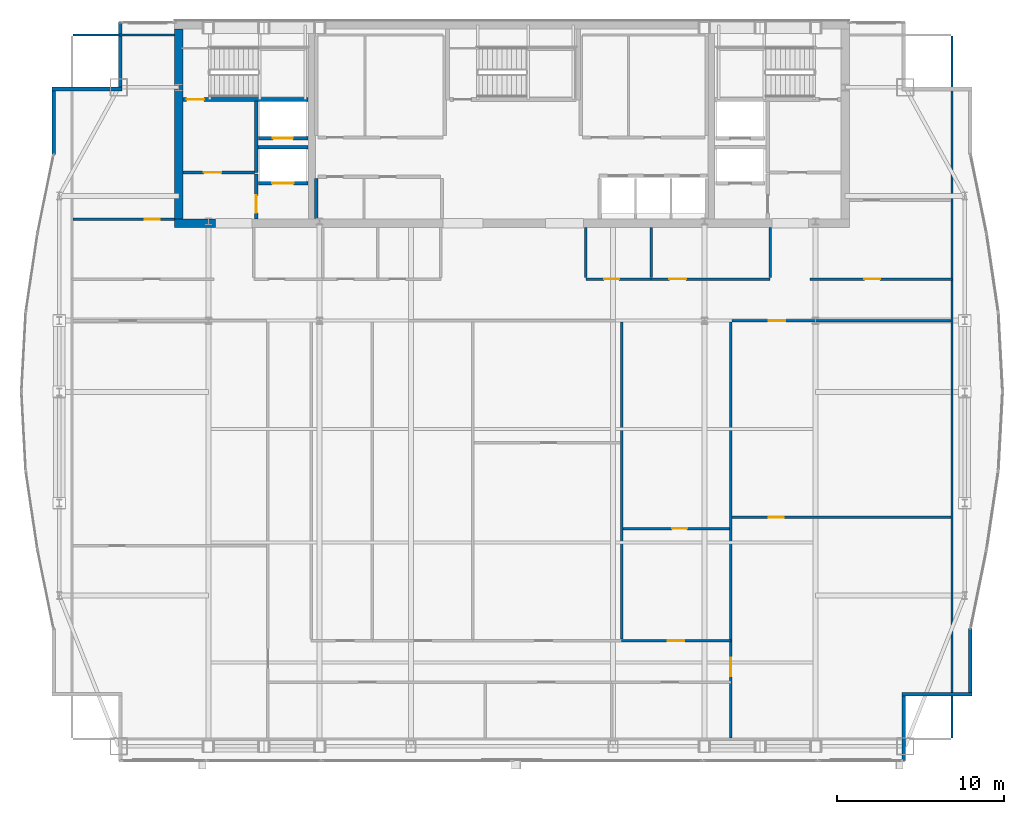
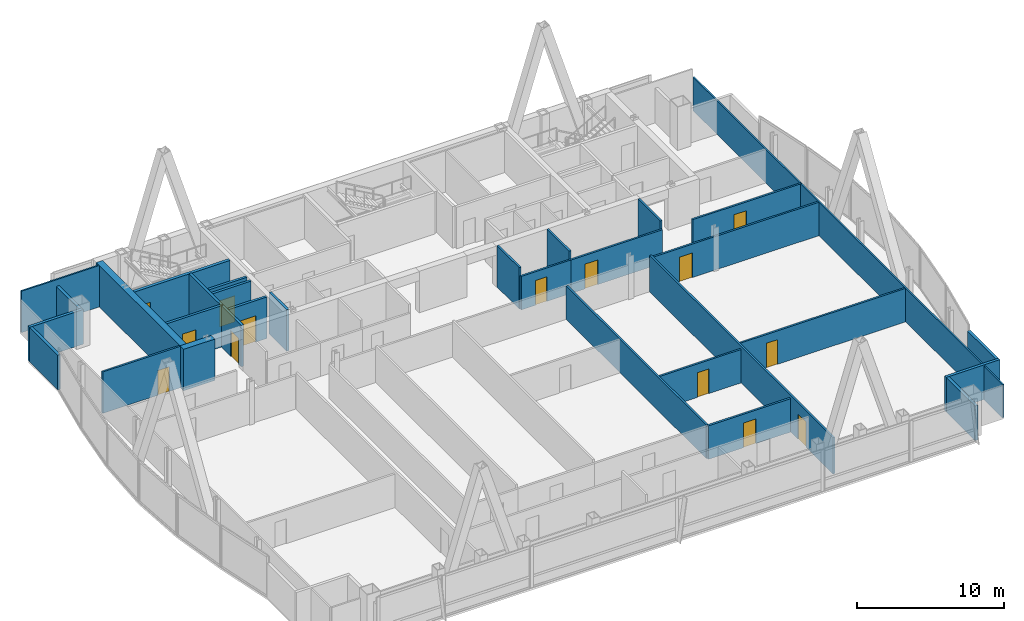
# One storey, part 27 of 31: 31 walls, 14 doors, 14 openings.
"""IFC4 building model written with IfcOpenShell, lengths in metres."""

from ifc_helpers import new_model, si_unit, direction, frame, frame_2d, origin, place, context, subcontext, project, spatial, rectangle, extrude, material, layer, layer_set, type_object, element, fill, save


model = new_model("IFC4")

# Units and contexts
model_context = context("Model", 3, precision=1e-05, world=origin(), true_north=direction((0.0, 1.0)))
body_context = subcontext(model_context, "Body", "Model", "MODEL_VIEW")
ifc_project = project(units=[si_unit("LENGTHUNIT", "METRE"), si_unit("AREAUNIT", "SQUARE_METRE"), si_unit("VOLUMEUNIT", "CUBIC_METRE"), si_unit("PLANEANGLEUNIT", "RADIAN"), si_unit("MASSUNIT", "GRAM", prefix="KILO")], contexts=[model_context])

# Site, building, storey
site_placement = place(None, origin())
site = spatial("IfcSite", under=ifc_project, at=site_placement, CompositionType="ELEMENT")
building_placement = place(site_placement, origin())
building = spatial("IfcBuilding", under=site, at=building_placement, Name="Khoronbel Lancet Exchange", CompositionType="ELEMENT")
storey_placement = place(building_placement, frame((0.0, 0.0, 273.39990234375)))
storey = spatial("IfcBuildingStorey", under=building, at=storey_placement, Name="L70", CompositionType="ELEMENT", Elevation=273.39990234375)

# Walls
ifc_material_1 = material(Name="Concrete C60/75", Category="concrete")
ifc_layer_1 = layer(ifc_material_1, 0.5, Name="Concrete C60/75")
ifc_layer_set_1 = layer_set([ifc_layer_1], Name="Concrete C60/75")
wall_type_1 = type_object("IfcWallType", Name="WL-CW4", PredefinedType="SHEAR", material=ifc_layer_set_1)
wall_1_placement = place(storey_placement, frame((16.449951171875, 41.800048828125, 0.0), z_axis=(0.0, 0.0, 1.0), x_axis=(0.0, 1.0, 0.0)))
element("IfcWall", 1, at=wall_1_placement, inside=storey, type_object=wall_type_1, Name="Level L70 rear core west shear wall", PredefinedType="SHEAR", context=body_context, shape_type="SweptSolid", body=[
    extrude(rectangle(XDim=11.39990234375, YDim=0.5, at=frame_2d((5.699951171875, 0.0))), origin(), (0.0, 0.0, 1.0), 3.440185546875),
])
wall_2_placement = place(storey_placement, frame((18.64990234375, 41.550048828125, 0.0), z_axis=(0.0, 0.0, 1.0), x_axis=(-1.0, 0.0, 0.0)))
element("IfcWall", 2, at=wall_2_placement, inside=storey, type_object=wall_type_1, Name="Level L70 rear core south shear wall pier P1", PredefinedType="SHEAR", context=body_context, shape_type="SweptSolid", body=[
    extrude(rectangle(XDim=2.449951171875, YDim=0.5, at=frame_2d((1.22509765625, 0.0))), origin(), (0.0, 0.0, 1.0), 3.440185546875),
])
ifc_material_2 = material(Name="Precast concrete C40/50", Category="concrete")
ifc_layer_2 = layer(ifc_material_2, 0.25, Name="Precast concrete C40/50")
ifc_layer_set_2 = layer_set([ifc_layer_2], Name="Precast concrete C40/50")
wall_type_2 = type_object("IfcWallType", Name="WL-EXT250", PredefinedType="SOLIDWALL", material=ifc_layer_set_2)
wall_3_placement = place(storey_placement, frame((8.93994140625, 45.6708984375, 0.0), z_axis=(0.0, 0.0, 1.0), x_axis=(0.0, 1.0, 0.0)))
element("IfcWall", 3, at=wall_3_placement, inside=storey, type_object=wall_type_2, Name="Level L70 notched-corner limestone pier 10", PredefinedType="SOLIDWALL", context=body_context, shape_type="SweptSolid", body=[
    extrude(rectangle(XDim=3.8291015625, YDim=0.219970703125, at=frame_2d((1.91455078125, 0.0))), origin(), (0.0, 0.0, 1.0), 2.880126953125),
])
wall_4_placement = place(storey_placement, frame((8.830078125, 49.610107421875, 0.0), z_axis=(0.0, 0.0, 1.0), x_axis=(1.0, 0.0, 0.0)))
element("IfcWall", 4, at=wall_4_placement, inside=storey, type_object=wall_type_2, Name="Level L70 notched-corner limestone pier 11", PredefinedType="SOLIDWALL", context=body_context, shape_type="SweptSolid", body=[
    extrude(rectangle(XDim=4.219970703125, YDim=0.219970703125, at=frame_2d((2.10986328125, 0.0))), origin(), (0.0, 0.0, 1.0), 2.880126953125),
])
wall_5_placement = place(storey_placement, frame((12.93994140625, 49.719970703125, 0.0), z_axis=(0.0, 0.0, 1.0), x_axis=(0.0, 1.0, 0.0)))
element("IfcWall", 5, at=wall_5_placement, inside=storey, type_object=wall_type_2, Name="Level L70 notched-corner limestone pier 12", PredefinedType="SOLIDWALL", context=body_context, shape_type="SweptSolid", body=[
    extrude(rectangle(XDim=3.909912109375, YDim=0.219970703125, at=frame_2d((1.955078125, 0.0))), origin(), (0.0, 0.0, 1.0), 2.880126953125),
])
wall_6_placement = place(storey_placement, frame((63.9599609375, 17.22900390625, 0.0), z_axis=(0.0, 0.0, 1.0), x_axis=(0.0, -1.0, 0.0)))
element("IfcWall", 6, at=wall_6_placement, inside=storey, type_object=wall_type_2, Name="Level L70 notched-corner limestone pier 23", PredefinedType="SOLIDWALL", context=body_context, shape_type="SweptSolid", body=[
    extrude(rectangle(XDim=3.8291015625, YDim=0.219970703125, at=frame_2d((1.91455078125, 0.0))), origin(), (0.0, 0.0, 1.0), 2.880126953125),
])
wall_7_placement = place(storey_placement, frame((64.070068359375, 13.2900390625, 0.0), z_axis=(0.0, 0.0, 1.0), x_axis=(-1.0, 0.0, 0.0)))
element("IfcWall", 7, at=wall_7_placement, inside=storey, type_object=wall_type_2, Name="Level L70 notched-corner limestone pier 24", PredefinedType="SOLIDWALL", context=body_context, shape_type="SweptSolid", body=[
    extrude(rectangle(XDim=4.219970703125, YDim=0.219970703125, at=frame_2d((2.10986328125, 0.0))), origin(), (0.0, 0.0, 1.0), 2.880126953125),
])
wall_8_placement = place(storey_placement, frame((59.9599609375, 13.179931640625, 0.0), z_axis=(0.0, 0.0, 1.0), x_axis=(0.0, -1.0, 0.0)))
element("IfcWall", 8, at=wall_8_placement, inside=storey, type_object=wall_type_2, Name="Level L70 notched-corner limestone pier 25", PredefinedType="SOLIDWALL", context=body_context, shape_type="SweptSolid", body=[
    extrude(rectangle(XDim=3.909912109375, YDim=0.219970703125, at=frame_2d((1.955078125, 0.0))), origin(), (0.0, 0.0, 1.0), 2.880126953125),
])
ifc_material_3 = material(Name="Acoustic Metal-Stud & Mineral-Wool Gypsum Partition 120 mm", Category="gypsum")
ifc_layer_3 = layer(ifc_material_3, 0.1201171875, Name="Acoustic Metal-Stud & Mineral-Wool Gypsum Partition 120 mm")
ifc_layer_set_3 = layer_set([ifc_layer_3], Name="Acoustic Metal-Stud & Mineral-Wool Gypsum Partition 120 mm")
wall_type_3 = type_object("IfcWallType", Name="WL-PRT120", PredefinedType="PARTITIONING", material=ifc_layer_set_3)
for number, where, z_axis, x_axis, name in (
    (9, (40.8798828125, 38.280029296875, 0.0), (0.0, 0.0, 1.0), (0.0, 1.0, 0.0), "Level L70 interior partition PW-NP-0"),
    (10, (44.800048828125, 38.280029296875, 0.0), (0.0, 0.0, 1.0), (0.0, 1.0, 0.0), "Level L70 interior partition PW-NP-M"),
    (11, (51.949951171875, 38.280029296875, 0.0), (0.0, 0.0, 1.0), (0.0, 1.0, 0.0), "Level L70 interior partition PW-NP-1"),
):
    element("IfcWall", number, at=place(storey_placement, frame(where, z_axis=z_axis, x_axis=x_axis)), inside=storey, type_object=wall_type_3, Name=name, PredefinedType="PARTITIONING", context=body_context, shape_type="SweptSolid", body=[
        extrude(rectangle(XDim=3.02001953125, YDim=0.14990234375, at=frame_2d((1.510009765625, 0.0))), origin(), (0.0, 0.0, 1.0), 3.440185546875),
    ])

# Wall, opening, door
wall_9_placement = place(storey_placement, frame((10.094970703125, 41.800048828125, 0.0), z_axis=(0.0, 0.0, 1.0), x_axis=(1.0, 0.0, 0.0)))
wall_9 = element("IfcWall", 12, at=wall_9_placement, inside=storey, type_object=wall_type_3, Name="Level L70 interior partition PW-NW-H", PredefinedType="PARTITIONING", context=body_context, shape_type="SweptSolid", body=[
    extrude(rectangle(XDim=6.10498046875, YDim=0.14990234375, at=frame_2d((3.052490234375, 0.0))), origin(), (0.0, 0.0, 1.0), 3.440185546875),
])
opening_1_placement = place(wall_9_placement, frame((4.320068359375, 0.0, 0.0)))
opening_1 = element("IfcOpeningElement", 13, at=opening_1_placement, cuts=wall_9, Name="Opening D5", PredefinedType="OPENING", context=body_context, shape_type="SweptSolid", body=[
    extrude(rectangle(XDim=0.89990234375, YDim=2.050048828125, at=frame_2d((0.449951171875, 1.02490234375))), frame((0.0, 0.0849609375, 0.0), z_axis=(0.0, -1.0, 0.0), x_axis=(1.0, 0.0, 0.0)), (0.0, 0.0, 1.0), 0.169921875),
])
ifc_material_4 = material(Name="Acoustic Timber Pantry & Support Door", Category="wood")
door_type_1 = type_object("IfcDoorType", Name="DR-D5", OperationType="NOTDEFINED", PredefinedType="DOOR", material=ifc_material_4)
door_1_placement = place(opening_1_placement, origin())
door_1 = element("IfcDoor", 14, at=door_1_placement, inside=storey, type_object=door_type_1, Name="NW north room door L70-1", OperationType="SINGLE_SWING_LEFT", OverallHeight=2.050048828125, OverallWidth=0.89990234375, PredefinedType="DOOR", context=body_context, shape_type="SweptSolid", body=[
    extrude(rectangle(XDim=0.89990234375, YDim=2.050048828125, at=frame_2d((0.449951171875, 1.02490234375))), frame((0.0, 0.02490234375, 0.0), z_axis=(0.0, -1.0, 0.0), x_axis=(1.0, 0.0, 0.0)), (0.0, 0.0, 1.0), 0.050048828125),
])
fill(opening_1, door_1)

wall_10_placement = place(storey_placement, frame((49.659912109375, 23.89990234375, 0.0), z_axis=(0.0, 0.0, 1.0), x_axis=(1.0, 0.0, 0.0)))
wall_10 = element("IfcWall", 15, at=wall_10_placement, inside=storey, type_object=wall_type_3, Name="Level L70 interior partition PW-Z4-EH", PredefinedType="PARTITIONING", context=body_context, shape_type="SweptSolid", body=[
    extrude(rectangle(XDim=13.14501953125, YDim=0.14990234375, at=frame_2d((6.572509765625, 0.0))), origin(), (0.0, 0.0, 1.0), 2.780029296875),
])
opening_2_placement = place(wall_10_placement, frame((2.199951171875, 0.0, 0.0)))
opening_2 = element("IfcOpeningElement", 16, at=opening_2_placement, cuts=wall_10, Name="Opening D5", PredefinedType="OPENING", context=body_context, shape_type="SweptSolid", body=[
    extrude(rectangle(XDim=0.89990234375, YDim=2.050048828125, at=frame_2d((0.449951171875, 1.02490234375))), frame((0.0, 0.0849609375, 0.0), z_axis=(0.0, -1.0, 0.0), x_axis=(1.0, 0.0, 0.0)), (0.0, 0.0, 1.0), 0.169921875),
])
door_2_placement = place(opening_2_placement, origin())
door_2 = element("IfcDoor", 17, at=door_2_placement, inside=storey, type_object=door_type_1, Name="East lens inner door L70-1", OperationType="SINGLE_SWING_RIGHT", OverallHeight=2.050048828125, OverallWidth=0.89990234375, PredefinedType="DOOR", context=body_context, shape_type="SweptSolid", body=[
    extrude(rectangle(XDim=0.89990234375, YDim=2.050048828125, at=frame_2d((0.449951171875, 1.02490234375))), frame((0.0, 0.02490234375, 0.0), z_axis=(0.0, -1.0, 0.0), x_axis=(1.0, 0.0, 0.0)), (0.0, 0.0, 1.0), 0.050048828125),
])
fill(opening_2, door_2)

wall_11_placement = place(storey_placement, frame((43.1162109375, 23.227294921875, 0.0), z_axis=(0.0, 0.0, 1.0), x_axis=(1.0, 0.0, 0.0)))
wall_11 = element("IfcWall", 18, at=wall_11_placement, inside=storey, type_object=wall_type_3, Name="Level L70 interior partition PW-Z4C-H4", PredefinedType="PARTITIONING", context=body_context, shape_type="SweptSolid", body=[
    extrude(rectangle(XDim=6.3837890625, YDim=0.14990234375, at=frame_2d((3.19189453125, 0.0))), origin(), (0.0, 0.0, 1.0), 2.780029296875),
])
opening_3_placement = place(wall_11_placement, frame((2.944580078125, 0.0, 0.0)))
opening_3 = element("IfcOpeningElement", 19, at=opening_3_placement, cuts=wall_11, Name="Opening D5", PredefinedType="OPENING", context=body_context, shape_type="SweptSolid", body=[
    extrude(rectangle(XDim=0.89990234375, YDim=2.050048828125, at=frame_2d((0.449951171875, 1.02490234375))), frame((0.0, 0.0849609375, 0.0), z_axis=(0.0, -1.0, 0.0), x_axis=(1.0, 0.0, 0.0)), (0.0, 0.0, 1.0), 0.169921875),
])
door_3_placement = place(opening_3_placement, origin())
door_3 = element("IfcDoor", 20, at=door_3_placement, inside=storey, type_object=door_type_1, Name="Z4C inner door 4 L70-1", OperationType="SINGLE_SWING_RIGHT", OverallHeight=2.050048828125, OverallWidth=0.89990234375, PredefinedType="DOOR", context=body_context, shape_type="SweptSolid", body=[
    extrude(rectangle(XDim=0.89990234375, YDim=2.050048828125, at=frame_2d((0.449951171875, 1.02490234375))), frame((0.0, 0.02490234375, 0.0), z_axis=(0.0, -1.0, 0.0), x_axis=(1.0, 0.0, 0.0)), (0.0, 0.0, 1.0), 0.050048828125),
])
fill(opening_3, door_3)

# Walls
wall_12_placement = place(storey_placement, frame((62.8701171875, 10.6650390625, 0.0), z_axis=(0.0, 0.0, 1.0), x_axis=(0.0, 1.0, 0.0)))
element("IfcWall", 21, at=wall_12_placement, inside=storey, type_object=wall_type_3, Name="Level L70 interior partition PW-LIN-E", PredefinedType="PARTITIONING", context=body_context, shape_type="SweptSolid", body=[
    extrude(rectangle(XDim=42.10986328125, YDim=0.1201171875, at=frame_2d((21.054931640625, 0.0))), origin(), (0.0, 0.0, 1.0), 2.780029296875),
])
wall_13_placement = place(storey_placement, frame((10.094970703125, 52.840087890625, 0.0), z_axis=(0.0, 0.0, 1.0), x_axis=(1.0, 0.0, 0.0)))
element("IfcWall", 22, at=wall_13_placement, inside=storey, type_object=wall_type_3, Name="Level L70 interior partition PW-LIN-NW", PredefinedType="PARTITIONING", context=body_context, shape_type="SweptSolid", body=[
    extrude(rectangle(XDim=6.10498046875, YDim=0.1201171875, at=frame_2d((3.052490234375, 0.0))), origin(), (0.0, 0.0, 1.0), 3.440185546875),
])

# Wall, opening, door
ifc_material_5 = material(Name="Fire-Rated Twin-Stud Acoustic Gypsum Partition 150 mm", Category="gypsum")
ifc_layer_4 = layer(ifc_material_5, 0.14990234375, Name="Fire-Rated Twin-Stud Acoustic Gypsum Partition 150 mm")
ifc_layer_set_4 = layer_set([ifc_layer_4], Name="Fire-Rated Twin-Stud Acoustic Gypsum Partition 150 mm")
wall_type_4 = type_object("IfcWallType", Name="WL-PRT150C", PredefinedType="PARTITIONING", material=ifc_layer_set_4)
wall_14_placement = place(storey_placement, frame((40.8798828125, 38.199951171875, 0.0), z_axis=(0.0, 0.0, 1.0), x_axis=(1.0, 0.0, 0.0)))
wall_14 = element("IfcWall", 23, at=wall_14_placement, inside=storey, type_object=wall_type_4, Name="Level L70 interior partition PW-NP-S1", PredefinedType="PARTITIONING", context=body_context, shape_type="SweptSolid", body=[
    extrude(rectangle(XDim=3.920166015625, YDim=0.14990234375, at=frame_2d((1.9599609375, 0.0))), origin(), (0.0, 0.0, 1.0), 2.780029296875),
])
opening_4_placement = place(wall_14_placement, frame((1.10009765625, 0.0, 0.0)))
opening_4 = element("IfcOpeningElement", 24, at=opening_4_placement, cuts=wall_14, Name="Opening D5", PredefinedType="OPENING", context=body_context, shape_type="SweptSolid", body=[
    extrude(rectangle(XDim=0.89990234375, YDim=2.050048828125, at=frame_2d((0.449951171875, 1.02490234375))), frame((0.0, 0.0849609375, 0.0), z_axis=(0.0, -1.0, 0.0), x_axis=(1.0, 0.0, 0.0)), (0.0, 0.0, 1.0), 0.169921875),
])
door_4_placement = place(opening_4_placement, origin())
door_4 = element("IfcDoor", 25, at=door_4_placement, inside=storey, type_object=door_type_1, Name="Floor refreshment pantry door L70-1", OperationType="SINGLE_SWING_LEFT", OverallHeight=2.050048828125, OverallWidth=0.89990234375, PredefinedType="DOOR", context=body_context, shape_type="SweptSolid", body=[
    extrude(rectangle(XDim=0.89990234375, YDim=2.050048828125, at=frame_2d((0.449951171875, 1.02490234375))), frame((0.0, 0.02490234375, 0.0), z_axis=(0.0, -1.0, 0.0), x_axis=(1.0, 0.0, 0.0)), (0.0, 0.0, 1.0), 0.050048828125),
])
fill(opening_4, door_4)

wall_15_placement = place(storey_placement, frame((44.800048828125, 38.199951171875, 0.0), z_axis=(0.0, 0.0, 1.0), x_axis=(1.0, 0.0, 0.0)))
wall_15 = element("IfcWall", 26, at=wall_15_placement, inside=storey, type_object=wall_type_4, Name="Level L70 interior partition PW-NP-S2", PredefinedType="PARTITIONING", context=body_context, shape_type="SweptSolid", body=[
    extrude(rectangle(XDim=7.14990234375, YDim=0.14990234375, at=frame_2d((3.574951171875, 0.0))), origin(), (0.0, 0.0, 1.0), 2.780029296875),
])
opening_5_placement = place(wall_15_placement, frame((1.10009765625, 0.0, 0.0)))
opening_5 = element("IfcOpeningElement", 27, at=opening_5_placement, cuts=wall_15, Name="Opening D2", PredefinedType="OPENING", context=body_context, shape_type="SweptSolid", body=[
    extrude(rectangle(XDim=1.0, YDim=2.050048828125, at=frame_2d((0.5, 1.02490234375))), frame((0.0, 0.0849609375, 0.0), z_axis=(0.0, -1.0, 0.0), x_axis=(1.0, 0.0, 0.0)), (0.0, 0.0, 1.0), 0.169921875),
])
ifc_material_6 = material(Name="Acoustic Veneered Timber & Bronze Frame Door", Category="wood")
door_type_2 = type_object("IfcDoorType", Name="DR-D2", OperationType="NOTDEFINED", PredefinedType="DOOR", material=ifc_material_6)
door_5_placement = place(opening_5_placement, origin())
door_5 = element("IfcDoor", 28, at=door_5_placement, inside=storey, type_object=door_type_2, Name="Floor store door L70-1", OperationType="SINGLE_SWING_RIGHT", OverallHeight=2.050048828125, OverallWidth=1.0, PredefinedType="DOOR", context=body_context, shape_type="SweptSolid", body=[
    extrude(rectangle(XDim=1.0, YDim=2.050048828125, at=frame_2d((0.5, 1.02490234375))), frame((0.0, 0.02490234375, 0.0), z_axis=(0.0, -1.0, 0.0), x_axis=(1.0, 0.0, 0.0)), (0.0, 0.0, 1.0), 0.050048828125),
])
fill(opening_5, door_5)

wall_16_placement = place(storey_placement, frame((54.35009765625, 38.199951171875, 0.0), z_axis=(0.0, 0.0, 1.0), x_axis=(1.0, 0.0, 0.0)))
wall_16 = element("IfcWall", 29, at=wall_16_placement, inside=storey, type_object=wall_type_4, Name="Level L70 interior partition PW-NE-S", PredefinedType="PARTITIONING", context=body_context, shape_type="SweptSolid", body=[
    extrude(rectangle(XDim=8.52001953125, YDim=0.14990234375, at=frame_2d((4.260009765625, 0.0))), origin(), (0.0, 0.0, 1.0), 2.780029296875),
])
opening_6_placement = place(wall_16_placement, frame((3.25, 0.0, 0.0)))
opening_6 = element("IfcOpeningElement", 30, at=opening_6_placement, cuts=wall_16, Name="Opening D1", PredefinedType="OPENING", context=body_context, shape_type="SweptSolid", body=[
    extrude(rectangle(XDim=0.949951171875, YDim=2.050048828125, at=frame_2d((0.47509765625, 1.02490234375))), frame((0.0, 0.0849609375, 0.0), z_axis=(0.0, -1.0, 0.0), x_axis=(1.0, 0.0, 0.0)), (0.0, 0.0, 1.0), 0.169921875),
])
door_type_3 = type_object("IfcDoorType", Name="DR-D1", OperationType="NOTDEFINED", PredefinedType="DOOR", material=ifc_material_6)
door_6_placement = place(opening_6_placement, origin())
door_6 = element("IfcDoor", 31, at=door_6_placement, inside=storey, type_object=door_type_3, Name="NE corner room door L70-1", OperationType="SINGLE_SWING_RIGHT", OverallHeight=2.050048828125, OverallWidth=0.949951171875, PredefinedType="DOOR", context=body_context, shape_type="SweptSolid", body=[
    extrude(rectangle(XDim=0.949951171875, YDim=2.050048828125, at=frame_2d((0.47509765625, 1.02490234375))), frame((0.0, 0.02490234375, 0.0), z_axis=(0.0, -1.0, 0.0), x_axis=(1.0, 0.0, 0.0)), (0.0, 0.0, 1.0), 0.050048828125),
])
fill(opening_6, door_6)

wall_17_placement = place(storey_placement, frame((49.580078125, 10.6650390625, 0.0), z_axis=(0.0, 0.0, 1.0), x_axis=(0.0, 1.0, 0.0)))
wall_17 = element("IfcWall", 32, at=wall_17_placement, inside=storey, type_object=wall_type_4, Name="Level L70 interior partition PW-Z4-PE", PredefinedType="PARTITIONING", context=body_context, shape_type="SweptSolid", body=[
    extrude(rectangle(XDim=24.955078125, YDim=0.14990234375, at=frame_2d((12.4775390625, 0.0))), origin(), (0.0, 0.0, 1.0), 3.030029296875),
])
opening_7_placement = place(wall_17_placement, frame((3.699951171875, 0.0, 0.0)))
opening_7 = element("IfcOpeningElement", 33, at=opening_7_placement, cuts=wall_17, Name="Opening D6", PredefinedType="OPENING", context=body_context, shape_type="SweptSolid", body=[
    extrude(rectangle(XDim=1.10009765625, YDim=2.10009765625, at=frame_2d((0.550048828125, 1.050048828125))), frame((0.0, 0.0849609375, 0.0), z_axis=(0.0, -1.0, 0.0), x_axis=(1.0, 0.0, 0.0)), (0.0, 0.0, 1.0), 0.169921875),
])
ifc_material_7 = material(Name="Acoustic Bronze-Veneer Executive Suite Door", Category="wood")
door_type_4 = type_object("IfcDoorType", Name="DR-D6", OperationType="NOTDEFINED", PredefinedType="DOOR", material=ifc_material_7)
door_7_placement = place(opening_7_placement, origin())
door_7 = element("IfcDoor", 34, at=door_7_placement, inside=storey, type_object=door_type_4, Name="East lens south door L70-1", OperationType="SINGLE_SWING_RIGHT", OverallHeight=2.10009765625, OverallWidth=1.10009765625, PredefinedType="DOOR", context=body_context, shape_type="SweptSolid", body=[
    extrude(rectangle(XDim=1.10009765625, YDim=2.10009765625, at=frame_2d((0.550048828125, 1.050048828125))), frame((0.0, 0.02490234375, 0.0), z_axis=(0.0, -1.0, 0.0), x_axis=(1.0, 0.0, 0.0)), (0.0, 0.0, 1.0), 0.050048828125),
])
fill(opening_7, door_7)

wall_18_placement = place(storey_placement, frame((49.659912109375, 35.699951171875, 0.0), z_axis=(0.0, 0.0, 1.0), x_axis=(1.0, 0.0, 0.0)))
wall_18 = element("IfcWall", 35, at=wall_18_placement, inside=storey, type_object=wall_type_4, Name="Level L70 interior partition PW-Z4-EN2", PredefinedType="PARTITIONING", context=body_context, shape_type="SweptSolid", body=[
    extrude(rectangle(XDim=13.14501953125, YDim=0.14990234375, at=frame_2d((6.572509765625, 0.0))), origin(), (0.0, 0.0, 1.0), 2.780029296875),
])
opening_8_placement = place(wall_18_placement, frame((2.199951171875, 0.0, 0.0)))
opening_8 = element("IfcOpeningElement", 36, at=opening_8_placement, cuts=wall_18, Name="Opening D2", PredefinedType="OPENING", context=body_context, shape_type="SweptSolid", body=[
    extrude(rectangle(XDim=1.0, YDim=2.050048828125, at=frame_2d((0.5, 1.02490234375))), frame((0.0, 0.0849609375, 0.0), z_axis=(0.0, -1.0, 0.0), x_axis=(1.0, 0.0, 0.0)), (0.0, 0.0, 1.0), 0.169921875),
])
door_8_placement = place(opening_8_placement, origin())
door_8 = element("IfcDoor", 37, at=door_8_placement, inside=storey, type_object=door_type_2, Name="East lens north door L70-1", OperationType="SINGLE_SWING_LEFT", OverallHeight=2.050048828125, OverallWidth=1.0, PredefinedType="DOOR", context=body_context, shape_type="SweptSolid", body=[
    extrude(rectangle(XDim=1.0, YDim=2.050048828125, at=frame_2d((0.5, 1.02490234375))), frame((0.0, 0.02490234375, 0.0), z_axis=(0.0, -1.0, 0.0), x_axis=(1.0, 0.0, 0.0)), (0.0, 0.0, 1.0), 0.050048828125),
])
fill(opening_8, door_8)

# Wall
wall_19_placement = place(storey_placement, frame((43.036376953125, 16.5849609375, 0.0), z_axis=(0.0, 0.0, 1.0), x_axis=(0.0, 1.0, 0.0)))
element("IfcWall", 38, at=wall_19_placement, inside=storey, type_object=wall_type_4, Name="Level L70 interior partition PW-Z4C-V3", PredefinedType="PARTITIONING", context=body_context, shape_type="SweptSolid", body=[
    extrude(rectangle(XDim=19.03515625, YDim=0.14990234375, at=frame_2d((9.517578125, 0.0))), origin(), (0.0, 0.0, 1.0), 2.780029296875),
])

# Wall, opening, door
ifc_material_8 = material(Name="Fire-Rated Twin-Stud Acoustic Gypsum Partition 160 mm", Category="gypsum")
ifc_layer_5 = layer(ifc_material_8, 0.159912109375, Name="Fire-Rated Twin-Stud Acoustic Gypsum Partition 160 mm")
ifc_layer_set_5 = layer_set([ifc_layer_5], Name="Fire-Rated Twin-Stud Acoustic Gypsum Partition 160 mm")
wall_type_5 = type_object("IfcWallType", Name="WL-PRT160C", PredefinedType="PARTITIONING", material=ifc_layer_set_5)
wall_20_placement = place(storey_placement, frame((43.036376953125, 16.5, 0.0), z_axis=(0.0, 0.0, 1.0), x_axis=(1.0, 0.0, 0.0)))
wall_20 = element("IfcWall", 39, at=wall_20_placement, inside=storey, type_object=wall_type_5, Name="Level L70 interior partition PW-Z4C-COR4", PredefinedType="PARTITIONING", context=body_context, shape_type="SweptSolid", body=[
    extrude(rectangle(XDim=6.543701171875, YDim=0.159912109375, at=frame_2d((3.27197265625, 0.0))), origin(), (0.0, 0.0, 1.0), 2.780029296875),
])
opening_9_placement = place(wall_20_placement, frame((2.748291015625, 0.0, 0.0)))
opening_9 = element("IfcOpeningElement", 40, at=opening_9_placement, cuts=wall_20, Name="Opening D2", PredefinedType="OPENING", context=body_context, shape_type="SweptSolid", body=[
    extrude(rectangle(XDim=1.0, YDim=2.050048828125, at=frame_2d((0.5, 1.02490234375))), frame((0.0, 0.08984375, 0.0), z_axis=(0.0, -1.0, 0.0), x_axis=(1.0, 0.0, 0.0)), (0.0, 0.0, 1.0), 0.179931640625),
])
door_9_placement = place(opening_9_placement, origin())
door_9 = element("IfcDoor", 41, at=door_9_placement, inside=storey, type_object=door_type_2, Name="Z4C bay 4 door L70-1", OperationType="SINGLE_SWING_LEFT", OverallHeight=2.050048828125, OverallWidth=1.0, PredefinedType="DOOR", context=body_context, shape_type="SweptSolid", body=[
    extrude(rectangle(XDim=1.0, YDim=2.050048828125, at=frame_2d((0.5, 1.02490234375))), frame((0.0, 0.02490234375, 0.0), z_axis=(0.0, -1.0, 0.0), x_axis=(1.0, 0.0, 0.0)), (0.0, 0.0, 1.0), 0.050048828125),
])
fill(opening_9, door_9)

ifc_material_9 = material(Name="Autoclaved Aerated Concrete Blockwork 200 mm", Category="masonry")
ifc_layer_6 = layer(ifc_material_9, 0.199951171875, Name="Autoclaved Aerated Concrete Blockwork 200 mm")
ifc_layer_set_6 = layer_set([ifc_layer_6], Name="Autoclaved Aerated Concrete Blockwork 200 mm")
wall_type_6 = type_object("IfcWallType", Name="WL-PRT200", PredefinedType="PARTITIONING", material=ifc_layer_set_6)
wall_21_placement = place(storey_placement, frame((24.2099609375, 43.949951171875, 0.0), z_axis=(0.0, 0.0, 1.0), x_axis=(-1.0, 0.0, 0.0)))
wall_21 = element("IfcWall", 42, at=wall_21_placement, inside=storey, type_object=wall_type_6, Name="Level L70 elevator hoistway landing front wall SVLW", PredefinedType="PARTITIONING", context=body_context, shape_type="SweptSolid", body=[
    extrude(rectangle(XDim=2.969970703125, YDim=0.199951171875, at=frame_2d((1.48486328125, 0.0))), origin(), (0.0, 0.0, 1.0), 3.440185546875),
])
opening_10_placement = place(wall_21_placement, frame((0.860107421875, 0.0, 0.0)))
opening_10 = element("IfcOpeningElement", 43, at=opening_10_placement, cuts=wall_21, Name="Opening LD-SVL1", PredefinedType="OPENING", context=body_context, shape_type="SweptSolid", body=[
    extrude(rectangle(XDim=1.300048828125, YDim=2.179931640625, at=frame_2d((0.64990234375, 1.08984375))), frame((0.0, 0.10986328125, 0.0), z_axis=(0.0, -1.0, 0.0), x_axis=(1.0, 0.0, 0.0)), (0.0, 0.0, 1.0), 0.219970703125),
])
ifc_material_10 = material(Name="Heavy-Duty Bi-Parting Goods Lift Landing Door", Category="steel")
door_type_5 = type_object("IfcDoorType", Name="DR-LD-SVL", OperationType="NOTDEFINED", PredefinedType="DOOR", material=ifc_material_10)
door_10_placement = place(opening_10_placement, origin())
door_10 = element("IfcDoor", 44, at=door_10_placement, inside=storey, type_object=door_type_5, Name="Elevator landing sliding door LD-SVL1 L70", OperationType="SLIDING_TO_LEFT", OverallHeight=2.179931640625, OverallWidth=1.300048828125, PredefinedType="DOOR", context=body_context, shape_type="SweptSolid", body=[
    extrude(rectangle(XDim=1.300048828125, YDim=2.179931640625, at=frame_2d((0.64990234375, 1.08984375))), frame((0.0, 0.02490234375, 0.0), z_axis=(0.0, -1.0, 0.0), x_axis=(1.0, 0.0, 0.0)), (0.0, 0.0, 1.0), 0.050048828125),
])
fill(opening_10, door_10)

wall_22_placement = place(storey_placement, frame((24.2099609375, 46.64990234375, 0.0), z_axis=(0.0, 0.0, 1.0), x_axis=(-1.0, 0.0, 0.0)))
wall_22 = element("IfcWall", 45, at=wall_22_placement, inside=storey, type_object=wall_type_6, Name="Level L70 elevator hoistway landing front wall FFLW", PredefinedType="PARTITIONING", context=body_context, shape_type="SweptSolid", body=[
    extrude(rectangle(XDim=2.969970703125, YDim=0.199951171875, at=frame_2d((1.48486328125, 0.0))), origin(), (0.0, 0.0, 1.0), 3.440185546875),
])
opening_11_placement = place(wall_22_placement, frame((0.909912109375, 0.0, 0.0)))
opening_11 = element("IfcOpeningElement", 46, at=opening_11_placement, cuts=wall_22, Name="Opening LD-FFL1", PredefinedType="OPENING", context=body_context, shape_type="SweptSolid", body=[
    extrude(rectangle(XDim=1.199951171875, YDim=2.179931640625, at=frame_2d((0.60009765625, 1.08984375))), frame((0.0, 0.10986328125, 0.0), z_axis=(0.0, -1.0, 0.0), x_axis=(1.0, 0.0, 0.0)), (0.0, 0.0, 1.0), 0.219970703125),
])
ifc_material_11 = material(Name="Fire-Rated Stainless Bi-Parting Firefighting Lift Door", Category="steel")
door_type_6 = type_object("IfcDoorType", Name="DR-LD-FFL", OperationType="NOTDEFINED", PredefinedType="DOOR", material=ifc_material_11)
door_11_placement = place(opening_11_placement, origin())
door_11 = element("IfcDoor", 47, at=door_11_placement, inside=storey, type_object=door_type_6, Name="Elevator landing sliding door LD-FFL1 L70", OperationType="SLIDING_TO_LEFT", OverallHeight=2.179931640625, OverallWidth=1.199951171875, PredefinedType="DOOR", context=body_context, shape_type="SweptSolid", body=[
    extrude(rectangle(XDim=1.199951171875, YDim=2.179931640625, at=frame_2d((0.60009765625, 1.08984375))), frame((0.0, 0.02490234375, 0.0), z_axis=(0.0, -1.0, 0.0), x_axis=(1.0, 0.0, 0.0)), (0.0, 0.0, 1.0), 0.050048828125),
])
fill(opening_11, door_11)

# Wall
wall_23_placement = place(storey_placement, frame((21.10009765625, 44.60009765625, 0.0), z_axis=(0.0, 0.0, 1.0), x_axis=(0.0, 1.0, 0.0)))
element("IfcWall", 48, at=wall_23_placement, inside=storey, type_object=wall_type_6, Name="Level L70 interior partition CW-FFLW-E", PredefinedType="PARTITIONING", context=body_context, shape_type="SweptSolid", body=[
    extrude(rectangle(XDim=4.2998046875, YDim=0.199951171875, at=frame_2d((2.14990234375, 0.0))), origin(), (0.0, 0.0, 1.0), 3.440185546875),
])

# Wall, opening, door
wall_24_placement = place(storey_placement, frame((16.699951171875, 44.60009765625, 0.0), z_axis=(0.0, 0.0, 1.0), x_axis=(1.0, 0.0, 0.0)))
wall_24 = element("IfcWall", 49, at=wall_24_placement, inside=storey, type_object=wall_type_6, Name="Level L70 interior partition CW-FFLW-S", PredefinedType="PARTITIONING", context=body_context, shape_type="SweptSolid", body=[
    extrude(rectangle(XDim=4.300048828125, YDim=0.199951171875, at=frame_2d((2.14990234375, 0.0))), origin(), (0.0, 0.0, 1.0), 3.440185546875),
])
opening_12_placement = place(wall_24_placement, frame((1.25, 0.0, 0.0)))
opening_12 = element("IfcOpeningElement", 50, at=opening_12_placement, cuts=wall_24, Name="Opening FD1", PredefinedType="OPENING", context=body_context, shape_type="SweptSolid", body=[
    extrude(rectangle(XDim=1.050048828125, YDim=2.14990234375, at=frame_2d((0.52490234375, 1.074951171875))), frame((0.0, 0.10986328125, 0.0), z_axis=(0.0, -1.0, 0.0), x_axis=(1.0, 0.0, 0.0)), (0.0, 0.0, 1.0), 0.219970703125),
])
ifc_material_12 = material(Name="Fire-Rated Painted Steel Door Assembly", Category="steel")
door_type_7 = type_object("IfcDoorType", Name="DR-FD1", OperationType="NOTDEFINED", PredefinedType="DOOR", material=ifc_material_12)
door_12_placement = place(opening_12_placement, origin())
door_12 = element("IfcDoor", 51, at=door_12_placement, inside=storey, type_object=door_type_7, Name="West firefighting lobby FD90S door L70-1", OperationType="SINGLE_SWING_RIGHT", OverallHeight=2.14990234375, OverallWidth=1.050048828125, PredefinedType="DOOR", context=body_context, shape_type="SweptSolid", body=[
    extrude(rectangle(XDim=1.050048828125, YDim=2.14990234375, at=frame_2d((0.52490234375, 1.074951171875))), frame((0.0, 0.02490234375, 0.0), z_axis=(0.0, -1.0, 0.0), x_axis=(1.0, 0.0, 0.0)), (0.0, 0.0, 1.0), 0.050048828125),
])
fill(opening_12, door_12)

# Wall
wall_25_placement = place(storey_placement, frame((21.199951171875, 46.1201171875, 0.0), z_axis=(0.0, 0.0, 1.0), x_axis=(1.0, 0.0, 0.0)))
element("IfcWall", 52, at=wall_25_placement, inside=storey, type_object=wall_type_6, Name="Level L70 interior partition CW-FFL1-S", PredefinedType="PARTITIONING", context=body_context, shape_type="SweptSolid", body=[
    extrude(rectangle(XDim=3.02001953125, YDim=0.199951171875, at=frame_2d((1.510009765625, 0.0))), origin(), (0.0, 0.0, 1.0), 3.440185546875),
])

# Wall, opening, door
wall_26_placement = place(storey_placement, frame((21.10009765625, 41.800048828125, 0.0), z_axis=(0.0, 0.0, 1.0), x_axis=(0.0, 1.0, 0.0)))
wall_26 = element("IfcWall", 53, at=wall_26_placement, inside=storey, type_object=wall_type_6, Name="Level L70 interior partition CW-SVLW-W", PredefinedType="PARTITIONING", context=body_context, shape_type="SweptSolid", body=[
    extrude(rectangle(XDim=2.695068359375, YDim=0.199951171875, at=frame_2d((1.34765625, 0.0))), origin(), (0.0, 0.0, 1.0), 3.440185546875),
])
opening_13_placement = place(wall_26_placement, frame((0.3798828125, 0.0, 0.0)))
opening_13 = element("IfcOpeningElement", 54, at=opening_13_placement, cuts=wall_26, Name="Opening FD1", PredefinedType="OPENING", context=body_context, shape_type="SweptSolid", body=[
    extrude(rectangle(XDim=1.050048828125, YDim=2.14990234375, at=frame_2d((0.52490234375, 1.074951171875))), frame((0.0, 0.10986328125, 0.0), z_axis=(0.0, -1.0, 0.0), x_axis=(1.0, 0.0, 0.0)), (0.0, 0.0, 1.0), 0.219970703125),
])
door_13_placement = place(opening_13_placement, origin())
door_13 = element("IfcDoor", 55, at=door_13_placement, inside=storey, type_object=door_type_7, Name="West service lift lobby door L70-1", OperationType="SINGLE_SWING_LEFT", OverallHeight=2.14990234375, OverallWidth=1.050048828125, PredefinedType="DOOR", context=body_context, shape_type="SweptSolid", body=[
    extrude(rectangle(XDim=1.050048828125, YDim=2.14990234375, at=frame_2d((0.52490234375, 1.074951171875))), frame((0.0, 0.02490234375, 0.0), z_axis=(0.0, -1.0, 0.0), x_axis=(1.0, 0.0, 0.0)), (0.0, 0.0, 1.0), 0.050048828125),
])
fill(opening_13, door_13)

# Wall
wall_27_placement = place(storey_placement, frame((24.699951171875, 41.85009765625, 0.0), z_axis=(0.0, 0.0, 1.0), x_axis=(0.0, 1.0, 0.0)))
element("IfcWall", 56, at=wall_27_placement, inside=storey, type_object=wall_type_6, Name="Level L70 interior partition CW-PM-RW", PredefinedType="PARTITIONING", context=body_context, shape_type="SweptSolid", body=[
    extrude(rectangle(XDim=2.39501953125, YDim=0.199951171875, at=frame_2d((1.197509765625, 0.0))), origin(), (0.0, 0.0, 1.0), 3.440185546875),
])

# Wall, opening, door
ifc_layer_7 = layer(ifc_material_1, 0.260009765625, Name="Concrete C60/75")
ifc_layer_set_7 = layer_set([ifc_layer_7], Name="Concrete C60/75")
wall_type_7 = type_object("IfcWallType", Name="WL-SW3", PredefinedType="SHEAR", material=ifc_layer_set_7)
wall_28_placement = place(storey_placement, frame((16.699951171875, 48.97998046875, 0.0), z_axis=(0.0, 0.0, 1.0), x_axis=(1.0, 0.0, 0.0)))
wall_28 = element("IfcWall", 57, at=wall_28_placement, inside=storey, type_object=wall_type_7, Name="Level L70 west stairwell structural south wall", PredefinedType="SHEAR", context=body_context, shape_type="SweptSolid", body=[
    extrude(rectangle(XDim=7.52001953125, YDim=0.239990234375, at=frame_2d((3.760009765625, 0.0))), origin(), (0.0, 0.0, 1.0), 3.440185546875),
])
opening_14_placement = place(wall_28_placement, frame((0.219970703125, 0.0, 0.0)))
opening_14 = element("IfcOpeningElement", 58, at=opening_14_placement, cuts=wall_28, Name="Opening SD1", PredefinedType="OPENING", context=body_context, shape_type="SweptSolid", body=[
    extrude(rectangle(XDim=1.050048828125, YDim=2.14990234375, at=frame_2d((0.52490234375, 1.074951171875))), frame((0.0, 0.1298828125, 0.0), z_axis=(0.0, -1.0, 0.0), x_axis=(1.0, 0.0, 0.0)), (0.0, 0.0, 1.0), 0.260009765625),
])
ifc_material_13 = material(Name="Fire-Rated Steel Stairwell Door Assembly", Category="steel")
door_type_8 = type_object("IfcDoorType", Name="DR-SD1", OperationType="NOTDEFINED", PredefinedType="DOOR", material=ifc_material_13)
door_14_placement = place(opening_14_placement, origin())
door_14 = element("IfcDoor", 59, at=door_14_placement, inside=storey, type_object=door_type_8, Name="Protected exit stair ST1 door L70", OperationType="SINGLE_SWING_LEFT", OverallHeight=2.14990234375, OverallWidth=1.050048828125, PredefinedType="DOOR", context=body_context, shape_type="SweptSolid", body=[
    extrude(rectangle(XDim=1.050048828125, YDim=2.14990234375, at=frame_2d((0.52490234375, 1.074951171875))), frame((0.0, 0.02490234375, 0.0), z_axis=(0.0, -1.0, 0.0), x_axis=(1.0, 0.0, 0.0)), (0.0, 0.0, 1.0), 0.050048828125),
])
fill(opening_14, door_14)

save(model, "model.ifc")
